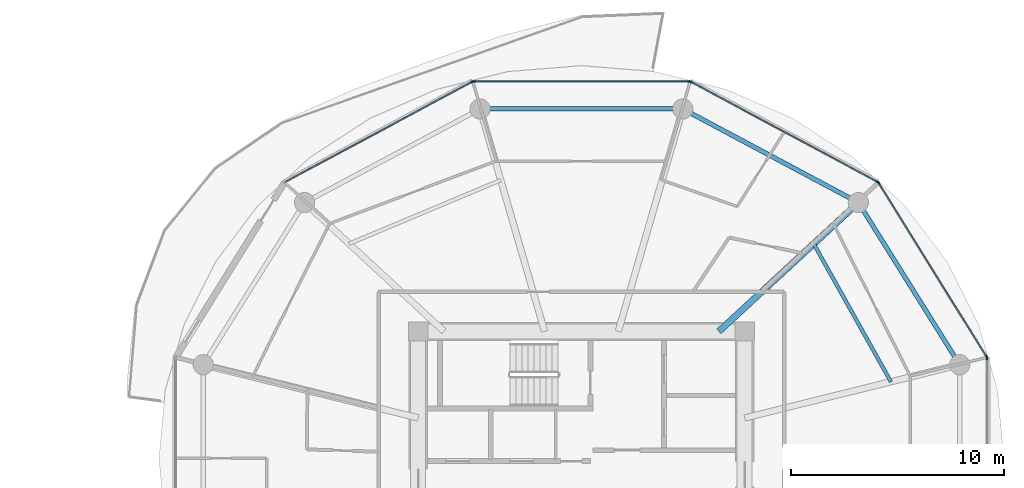
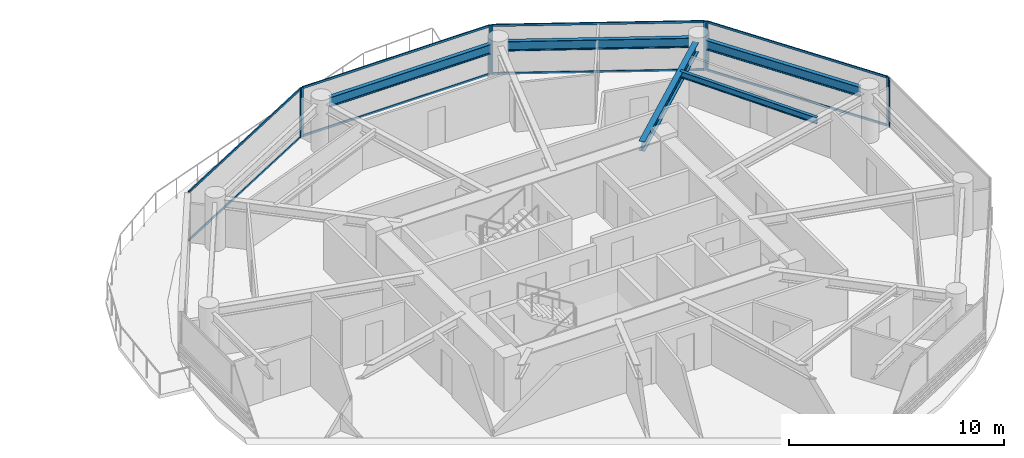
# One storey, part 13 of 27: 16 members, 5 beams, 5 elements without a shape of their own.
"""IFC4 building model written with IfcOpenShell, lengths in metres."""

from ifc_helpers import new_model, si_unit, direction, frame, origin, origin_2d, place, context, subcontext, project, spatial, rectangle, i_section, extrude, source, transform, mapped, material, layer, layer_set, material_profile, profile_set, type_object, type_shapes, element, aggregate, save


model = new_model("IFC4")

# Units and contexts
model_context = context("Model", 3, precision=1e-05, world=origin(), true_north=direction((0.0, 1.0)))
body_context = subcontext(model_context, "Body", "Model", "MODEL_VIEW")
ifc_project = project(units=[si_unit("LENGTHUNIT", "METRE"), si_unit("AREAUNIT", "SQUARE_METRE"), si_unit("VOLUMEUNIT", "CUBIC_METRE"), si_unit("PLANEANGLEUNIT", "RADIAN"), si_unit("MASSUNIT", "GRAM", prefix="KILO")], contexts=[model_context])

# Site, building, storey
site_placement = place(None, origin())
site = spatial("IfcSite", under=ifc_project, at=site_placement, CompositionType="ELEMENT")
building_placement = place(site_placement, origin())
building = spatial("IfcBuilding", under=site, at=building_placement, Name="Norrkilde Senior Care Towers", CompositionType="ELEMENT")
storey_placement = place(building_placement, frame((0.0, 0.0, 58.199951171875)))
storey = spatial("IfcBuildingStorey", under=building, at=storey_placement, Name="L17", CompositionType="ELEMENT", Elevation=58.199951171875)

# Beams
ifc_material_1 = material(Name="Steel S355", Category="steel")
ifc_material_profile_1 = material_profile(ifc_material_1, i_section(OverallWidth=0.2099609375, OverallDepth=0.550048828125, WebThickness=0.010986328125, FlangeThickness=0.01708984375, FilletRadius=0.02392578125, at=origin_2d()), Name="IPE 550")
ifc_profile_set_1 = profile_set([ifc_material_profile_1], Name="Steel S355")
beam_type_1 = type_object("IfcBeamType", Name="Perimeter Ring Spandrel Z1 IPE550", PredefinedType="SPANDREL", material=ifc_profile_set_1)
shared_shape_1 = source(origin(), body_context, "Body", "SweptSolid", [
    extrude(i_section(OverallWidth=0.2099609375, OverallDepth=0.550048828125, WebThickness=0.010986328125, FlangeThickness=0.01708984375, FilletRadius=0.02392578125, at=origin_2d()), origin(), (0.0, 0.0, 1.0), 8.090576171875),
])
beam_1_placement = place(storey_placement, frame((45.494140625, 4.755859375, 2.51513671875), z_axis=(-0.530004364821, 0.84799491347, 0.0), x_axis=(-0.84799491347, -0.530004364821, 0.0)))
element("IfcBeam", 1, at=beam_1_placement, inside=storey, type_object=beam_type_1, Name="L17 Drum E Perimeter Spandrel 01", PredefinedType="SPANDREL", context=body_context, shape_type="MappedRepresentation", body=[
    mapped(shared_shape_1, transform((0.0, 0.0, 0.0), x_axis=(1.0, 0.0, 0.0), y_axis=(0.0, 1.0, 0.0), z_axis=(0.0, 0.0, 1.0), scale=1.0)),
])
shared_shape_2 = source(origin(), body_context, "Body", "SweptSolid", [
    extrude(i_section(OverallWidth=0.2099609375, OverallDepth=0.550048828125, WebThickness=0.010986328125, FlangeThickness=0.01708984375, FilletRadius=0.02392578125, at=origin_2d()), origin(), (0.0, 0.0, 1.0), 8.452880859375),
])
beam_2_placement = place(storey_placement, frame((40.591552734375, 12.190185546875, 2.51513671875), z_axis=(-0.882368931134, 0.470558252898, 0.0), x_axis=(-0.470558252898, -0.882368931134, 0.0)))
element("IfcBeam", 2, at=beam_2_placement, inside=storey, type_object=beam_type_1, Name="L17 Drum E Perimeter Spandrel 02", PredefinedType="SPANDREL", context=body_context, shape_type="MappedRepresentation", body=[
    mapped(shared_shape_2, transform((0.0, 0.0, 0.0), x_axis=(1.0, 0.0, 0.0), y_axis=(0.0, 1.0, 0.0), z_axis=(0.0, 0.0, 1.0), scale=1.0)),
])
ifc_material_profile_2 = material_profile(ifc_material_1, i_section(OverallWidth=0.300048828125, OverallDepth=0.550048828125, WebThickness=0.014892578125, FlangeThickness=0.029052734375, FilletRadius=0.027099609375, at=origin_2d()), Name="HEB 550")
ifc_profile_set_2 = profile_set([ifc_material_profile_2], Name="Steel S355")
beam_type_2 = type_object("IfcBeamType", Name="Radial Floor Beam Z1 HEB550", PredefinedType="BEAM", material=ifc_profile_set_2)
shared_shape_3 = source(origin(), body_context, "Body", "SweptSolid", [
    extrude(i_section(OverallWidth=0.300048828125, OverallDepth=0.550048828125, WebThickness=0.014892578125, FlangeThickness=0.029052734375, FilletRadius=0.027099609375, at=origin_2d()), origin(), (0.0, 0.0, 1.0), 8.459716796875),
])
type_shapes(beam_type_2, [shared_shape_3])
beam_3_placement = place(storey_placement, frame((34.44140625, 5.949951171875, 2.51513671875), z_axis=(0.734573269108, 0.678529374686, 0.0), x_axis=(-0.678529374686, 0.734573269108, 0.0)))
element("IfcBeam", 3, at=beam_3_placement, inside=storey, type_object=beam_type_2, Name="L17 Drum E Radial Floor Beam 02", PredefinedType="BEAM", context=body_context, shape_type="MappedRepresentation", body=[
    mapped(shared_shape_3, transform((0.0, 0.0, 0.0), x_axis=(1.0, 0.0, 0.0), y_axis=(0.0, 1.0, 0.0), z_axis=(0.0, 0.0, 1.0), scale=1.0)),
])
shared_shape_4 = source(origin(), body_context, "Body", "SweptSolid", [
    extrude(i_section(OverallWidth=0.2099609375, OverallDepth=0.550048828125, WebThickness=0.010986328125, FlangeThickness=0.01708984375, FilletRadius=0.02392578125, at=origin_2d()), origin(), (0.0, 0.0, 1.0), 8.62841796875),
])
type_shapes(beam_type_1, [shared_shape_1, shared_shape_2, shared_shape_4])
beam_4_placement = place(storey_placement, frame((32.314208984375, 16.37255859375, 2.51513671875), z_axis=(-1.0, 0.0, 0.0), x_axis=(0.0, -1.0, 0.0)))
element("IfcBeam", 4, at=beam_4_placement, inside=storey, type_object=beam_type_1, Name="L17 Drum E Perimeter Spandrel 03", PredefinedType="SPANDREL", context=body_context, shape_type="MappedRepresentation", body=[
    mapped(shared_shape_4, transform((0.0, 0.0, 0.0), x_axis=(1.0, 0.0, 0.0), y_axis=(0.0, 1.0, 0.0), z_axis=(0.0, 0.0, 1.0), scale=1.0)),
])
ifc_material_profile_3 = material_profile(ifc_material_1, i_section(OverallWidth=0.169921875, OverallDepth=0.360107421875, WebThickness=0.008056640625, FlangeThickness=0.0126953125, FilletRadius=0.01806640625, at=origin_2d()), Name="IPE 360")
ifc_profile_set_3 = profile_set([ifc_material_profile_3], Name="Steel S355")
beam_type_3 = type_object("IfcBeamType", Name="Secondary Floor Joist IPE360", PredefinedType="JOIST", material=ifc_profile_set_3)
shared_shape_5 = source(origin(), body_context, "Body", "SweptSolid", [
    extrude(i_section(OverallWidth=0.169921875, OverallDepth=0.360107421875, WebThickness=0.008056640625, FlangeThickness=0.0126953125, FilletRadius=0.01806640625, at=origin_2d()), origin(), (0.0, 0.0, 1.0), 7.40771484375),
])
type_shapes(beam_type_3, [shared_shape_5])
beam_5_placement = place(storey_placement, frame((42.500732421875, 3.589111328125, 2.610107421875), z_axis=(-0.488167754092, 0.872749817453, 0.0), x_axis=(-0.872749817453, -0.488167754092, 0.0)))
element("IfcBeam", 5, at=beam_5_placement, inside=storey, type_object=beam_type_3, Name="L17 Drum E Secondary Floor Joist 1", PredefinedType="JOIST", context=body_context, shape_type="MappedRepresentation", body=[
    mapped(shared_shape_5, transform((0.0, 0.0, 0.0), x_axis=(1.0, 0.0, 0.0), y_axis=(0.0, 1.0, 0.0), z_axis=(0.0, 0.0, 1.0), scale=1.0)),
])

# Curtain wall, members
ifc_material_2 = material(Name="Triple Low-E Insulated Glazing", Category="glass")
ifc_layer = layer(ifc_material_2, 0.199951171875)
ifc_layer_set = layer_set([ifc_layer], Name="Triple Low-E Insulated Glazing")
curtain_wall_type = type_object("IfcCurtainWallType", Name="CW2 Zone 1 Memory Care Curtain Wall", PredefinedType="NOTDEFINED", material=ifc_layer_set)
curtain_wall_1_placement = place(storey_placement, origin())
curtain_wall_1 = element("IfcCurtainWall", 6, at=curtain_wall_1_placement, inside=storey, type_object=curtain_wall_type, Name="L17 Drum E Curtain Wall 00", PredefinedType="NOTDEFINED")
ifc_material_3 = material(Name="Anodised Aluminium", Category="aluminium")
ifc_material_profile_4 = material_profile(ifc_material_3, rectangle(XDim=0.06494140625, YDim=0.159912109375, at=origin_2d()), Name="ALU MULL 65x160")
ifc_profile_set_4 = profile_set([ifc_material_profile_4], Name="Anodised Aluminium")
member_type_1 = type_object("IfcMemberType", Name="Curtain Wall Mullion Z1-Z2 65x160", PredefinedType="MULLION", material=ifc_profile_set_4)
shared_shape_6 = source(origin(), body_context, "Body", "SweptSolid", [
    extrude(rectangle(XDim=0.06494140625, YDim=0.159912109375, at=origin_2d()), origin(), (0.0, 0.0, 1.0), 2.7900390625),
])
type_shapes(member_type_1, [shared_shape_6])
member_1_placement = place(storey_placement, frame((41.93310546875, 12.898193359375, 0.0), z_axis=(0.0, 0.0, 1.0), x_axis=(0.849305943117, 0.527900951871, 0.0)))
member_1 = element("IfcMember", 7, at=member_1_placement, type_object=member_type_1, Name="CW-2 mullion 1", PredefinedType="MULLION", context=body_context, shape_type="MappedRepresentation", body=[
    mapped(shared_shape_6, transform((0.0, 0.0, 0.0), x_axis=(1.0, 0.0, 0.0), y_axis=(0.0, 1.0, 0.0), z_axis=(0.0, 0.0, 1.0), scale=1.0)),
])
member_2_placement = place(storey_placement, frame((46.9921875, 4.7587890625, 0.0), z_axis=(0.0, 0.0, 1.0), x_axis=(0.849305943117, 0.527900951871, 0.0)))
member_2 = element("IfcMember", 8, at=member_2_placement, type_object=member_type_1, Name="CW-2 mullion 2", PredefinedType="MULLION", context=body_context, shape_type="MappedRepresentation", body=[
    mapped(shared_shape_6, transform((0.0, 0.0, 0.0), x_axis=(1.0, 0.0, 0.0), y_axis=(0.0, 1.0, 0.0), z_axis=(0.0, 0.0, 1.0), scale=1.0)),
])

curtain_wall_2_placement = place(storey_placement, origin())
curtain_wall_2 = element("IfcCurtainWall", 9, at=curtain_wall_2_placement, inside=storey, type_object=curtain_wall_type, Name="L17 Drum E Curtain Wall 01", PredefinedType="NOTDEFINED")
member_3_placement = place(storey_placement, frame((33.122314453125, 17.641845703125, 0.0), z_axis=(0.0, 0.0, 1.0), x_axis=(0.472607802456, 0.881272866403, 0.0)))
member_3 = element("IfcMember", 10, at=member_3_placement, type_object=member_type_1, Name="CW-2 mullion 1", PredefinedType="MULLION", context=body_context, shape_type="MappedRepresentation", body=[
    mapped(shared_shape_6, transform((0.0, 0.0, 0.0), x_axis=(1.0, 0.0, 0.0), y_axis=(0.0, 1.0, 0.0), z_axis=(0.0, 0.0, 1.0), scale=1.0)),
])
member_4_placement = place(storey_placement, frame((41.88720703125, 12.941162109375, 0.0), z_axis=(0.0, 0.0, 1.0), x_axis=(0.472607802456, 0.881272866403, 0.0)))
member_4 = element("IfcMember", 11, at=member_4_placement, type_object=member_type_1, Name="CW-2 mullion 2", PredefinedType="MULLION", context=body_context, shape_type="MappedRepresentation", body=[
    mapped(shared_shape_6, transform((0.0, 0.0, 0.0), x_axis=(1.0, 0.0, 0.0), y_axis=(0.0, 1.0, 0.0), z_axis=(0.0, 0.0, 1.0), scale=1.0)),
])

curtain_wall_3_placement = place(storey_placement, origin())
curtain_wall_3 = element("IfcCurtainWall", 12, at=curtain_wall_3_placement, inside=storey, type_object=curtain_wall_type, Name="L17 Drum E Curtain Wall 02", PredefinedType="NOTDEFINED")
member_5_placement = place(storey_placement, frame((22.93896484375, 17.6572265625, 0.0), z_axis=(0.0, 0.0, 1.0), x_axis=(0.0, 1.0, 0.0)))
member_5 = element("IfcMember", 13, at=member_5_placement, type_object=member_type_1, Name="CW-2 mullion 1", PredefinedType="MULLION", context=body_context, shape_type="MappedRepresentation", body=[
    mapped(shared_shape_6, transform((0.0, 0.0, 0.0), x_axis=(1.0, 0.0, 0.0), y_axis=(0.0, 1.0, 0.0), z_axis=(0.0, 0.0, 1.0), scale=1.0)),
])
member_6_placement = place(storey_placement, frame((33.06103515625, 17.6572265625, 0.0), z_axis=(0.0, 0.0, 1.0), x_axis=(0.0, 1.0, 0.0)))
member_6 = element("IfcMember", 14, at=member_6_placement, type_object=member_type_1, Name="CW-2 mullion 2", PredefinedType="MULLION", context=body_context, shape_type="MappedRepresentation", body=[
    mapped(shared_shape_6, transform((0.0, 0.0, 0.0), x_axis=(1.0, 0.0, 0.0), y_axis=(0.0, 1.0, 0.0), z_axis=(0.0, 0.0, 1.0), scale=1.0)),
])

# Curtain wall, member
curtain_wall_4_placement = place(storey_placement, origin())
curtain_wall_4 = element("IfcCurtainWall", 15, at=curtain_wall_4_placement, inside=storey, type_object=curtain_wall_type, Name="L17 Drum E Curtain Wall 03", PredefinedType="NOTDEFINED")
member_7_placement = place(storey_placement, frame((22.877685546875, 17.641845703125, 0.0), z_axis=(0.0, 0.0, 1.0), x_axis=(-0.472607802456, 0.881272866403, 0.0)))
member_7 = element("IfcMember", 16, at=member_7_placement, type_object=member_type_1, Name="CW-2 mullion 2", PredefinedType="MULLION", context=body_context, shape_type="MappedRepresentation", body=[
    mapped(shared_shape_6, transform((0.0, 0.0, 0.0), x_axis=(1.0, 0.0, 0.0), y_axis=(0.0, 1.0, 0.0), z_axis=(0.0, 0.0, 1.0), scale=1.0)),
])

curtain_wall_5_placement = place(storey_placement, origin())
curtain_wall_5 = element("IfcCurtainWall", 17, at=curtain_wall_5_placement, inside=storey, type_object=curtain_wall_type, Name="L17 Drum E Curtain Wall 11", PredefinedType="NOTDEFINED")
member_8_placement = place(storey_placement, frame((47.009521484375, 4.69873046875, 0.0), z_axis=(0.0, 0.0, 1.0), x_axis=(1.0, 0.0, 0.0)))
member_8 = element("IfcMember", 18, at=member_8_placement, type_object=member_type_1, Name="CW-2 mullion 1", PredefinedType="MULLION", context=body_context, shape_type="MappedRepresentation", body=[
    mapped(shared_shape_6, transform((0.0, 0.0, 0.0), x_axis=(1.0, 0.0, 0.0), y_axis=(0.0, 1.0, 0.0), z_axis=(0.0, 0.0, 1.0), scale=1.0)),
])
aggregate(curtain_wall_5, [member_8])

# Member
ifc_material_profile_5 = material_profile(ifc_material_3, rectangle(XDim=0.06005859375, YDim=0.1201171875, at=origin_2d()), Name="ALU TRAN 60x120")
ifc_profile_set_5 = profile_set([ifc_material_profile_5], Name="Anodised Aluminium")
member_type_2 = type_object("IfcMemberType", Name="Curtain Wall Transom Typical 60x120", PredefinedType="USERDEFINED", material=ifc_profile_set_5)
shared_shape_7 = source(origin(), body_context, "Body", "SweptSolid", [
    extrude(rectangle(XDim=0.06005859375, YDim=0.1201171875, at=origin_2d()), origin(), (0.0, 0.0, 1.0), 9.5185546875),
])
member_9_placement = place(storey_placement, frame((41.9501953125, 12.87060546875, 0.030029296875), z_axis=(0.527901620669, -0.849305527413, 0.0), x_axis=(0.849305527413, 0.527901620669, 0.0)))
member_9 = element("IfcMember", 19, at=member_9_placement, type_object=member_type_2, Name="CW-2 transom 1.1", ObjectType="TRANSOM", PredefinedType="USERDEFINED", context=body_context, shape_type="MappedRepresentation", body=[
    mapped(shared_shape_7, transform((0.0, 0.0, 0.0), x_axis=(1.0, 0.0, 0.0), y_axis=(0.0, 1.0, 0.0), z_axis=(0.0, 0.0, 1.0), scale=1.0)),
])

member_10_placement = place(storey_placement, frame((41.9501953125, 12.87060546875, 2.760009765625), z_axis=(0.527901620669, -0.849305527413, 0.0), x_axis=(0.849305527413, 0.527901620669, 0.0)))
member_10 = element("IfcMember", 20, at=member_10_placement, type_object=member_type_2, Name="CW-2 transom 1.2", ObjectType="TRANSOM", PredefinedType="USERDEFINED", context=body_context, shape_type="MappedRepresentation", body=[
    mapped(shared_shape_7, transform((0.0, 0.0, 0.0), x_axis=(1.0, 0.0, 0.0), y_axis=(0.0, 1.0, 0.0), z_axis=(0.0, 0.0, 1.0), scale=1.0)),
])

aggregate(curtain_wall_1, [member_1, member_2, member_9, member_10])

shared_shape_8 = source(origin(), body_context, "Body", "SweptSolid", [
    extrude(rectangle(XDim=0.06005859375, YDim=0.1201171875, at=origin_2d()), origin(), (0.0, 0.0, 1.0), 9.880859375),
])
member_11_placement = place(storey_placement, frame((33.15087890625, 17.62646484375, 0.030029296875), z_axis=(0.881267204043, -0.47261836092, 0.0), x_axis=(0.47261836092, 0.881267204043, 0.0)))
member_11 = element("IfcMember", 21, at=member_11_placement, type_object=member_type_2, Name="CW-2 transom 1.1", ObjectType="TRANSOM", PredefinedType="USERDEFINED", context=body_context, shape_type="MappedRepresentation", body=[
    mapped(shared_shape_8, transform((0.0, 0.0, 0.0), x_axis=(1.0, 0.0, 0.0), y_axis=(0.0, 1.0, 0.0), z_axis=(0.0, 0.0, 1.0), scale=1.0)),
])

member_12_placement = place(storey_placement, frame((33.15087890625, 17.62646484375, 2.760009765625), z_axis=(0.881267204043, -0.47261836092, 0.0), x_axis=(0.47261836092, 0.881267204043, 0.0)))
member_12 = element("IfcMember", 22, at=member_12_placement, type_object=member_type_2, Name="CW-2 transom 1.2", ObjectType="TRANSOM", PredefinedType="USERDEFINED", context=body_context, shape_type="MappedRepresentation", body=[
    mapped(shared_shape_8, transform((0.0, 0.0, 0.0), x_axis=(1.0, 0.0, 0.0), y_axis=(0.0, 1.0, 0.0), z_axis=(0.0, 0.0, 1.0), scale=1.0)),
])

aggregate(curtain_wall_2, [member_3, member_4, member_11, member_12])

member_13_placement = place(storey_placement, frame((14.141357421875, 12.95654296875, 0.030029296875), z_axis=(0.881267204043, 0.47261836092, 0.0), x_axis=(-0.47261836092, 0.881267204043, 0.0)))
member_13 = element("IfcMember", 23, at=member_13_placement, type_object=member_type_2, Name="CW-2 transom 1.1", ObjectType="TRANSOM", PredefinedType="USERDEFINED", context=body_context, shape_type="MappedRepresentation", body=[
    mapped(shared_shape_8, transform((0.0, 0.0, 0.0), x_axis=(1.0, 0.0, 0.0), y_axis=(0.0, 1.0, 0.0), z_axis=(0.0, 0.0, 1.0), scale=1.0)),
])

member_14_placement = place(storey_placement, frame((14.141357421875, 12.95654296875, 2.760009765625), z_axis=(0.881267204043, 0.47261836092, 0.0), x_axis=(-0.47261836092, 0.881267204043, 0.0)))
member_14 = element("IfcMember", 24, at=member_14_placement, type_object=member_type_2, Name="CW-2 transom 1.2", ObjectType="TRANSOM", PredefinedType="USERDEFINED", context=body_context, shape_type="MappedRepresentation", body=[
    mapped(shared_shape_8, transform((0.0, 0.0, 0.0), x_axis=(1.0, 0.0, 0.0), y_axis=(0.0, 1.0, 0.0), z_axis=(0.0, 0.0, 1.0), scale=1.0)),
])

aggregate(curtain_wall_4, [member_7, member_13, member_14])

shared_shape_9 = source(origin(), body_context, "Body", "SweptSolid", [
    extrude(rectangle(XDim=0.06005859375, YDim=0.1201171875, at=origin_2d()), origin(), (0.0, 0.0, 1.0), 10.05712890625),
])
type_shapes(member_type_2, [shared_shape_7, shared_shape_8, shared_shape_9])
member_15_placement = place(storey_placement, frame((22.971435546875, 17.6572265625, 0.030029296875), z_axis=(1.0, 0.0, 0.0), x_axis=(0.0, 1.0, 0.0)))
member_15 = element("IfcMember", 25, at=member_15_placement, type_object=member_type_2, Name="CW-2 transom 1.1", ObjectType="TRANSOM", PredefinedType="USERDEFINED", context=body_context, shape_type="MappedRepresentation", body=[
    mapped(shared_shape_9, transform((0.0, 0.0, 0.0), x_axis=(1.0, 0.0, 0.0), y_axis=(0.0, 1.0, 0.0), z_axis=(0.0, 0.0, 1.0), scale=1.0)),
])

member_16_placement = place(storey_placement, frame((22.971435546875, 17.6572265625, 2.760009765625), z_axis=(1.0, 0.0, 0.0), x_axis=(0.0, 1.0, 0.0)))
member_16 = element("IfcMember", 26, at=member_16_placement, type_object=member_type_2, Name="CW-2 transom 1.2", ObjectType="TRANSOM", PredefinedType="USERDEFINED", context=body_context, shape_type="MappedRepresentation", body=[
    mapped(shared_shape_9, transform((0.0, 0.0, 0.0), x_axis=(1.0, 0.0, 0.0), y_axis=(0.0, 1.0, 0.0), z_axis=(0.0, 0.0, 1.0), scale=1.0)),
])

aggregate(curtain_wall_3, [member_5, member_6, member_15, member_16])

save(model, "model.ifc")
